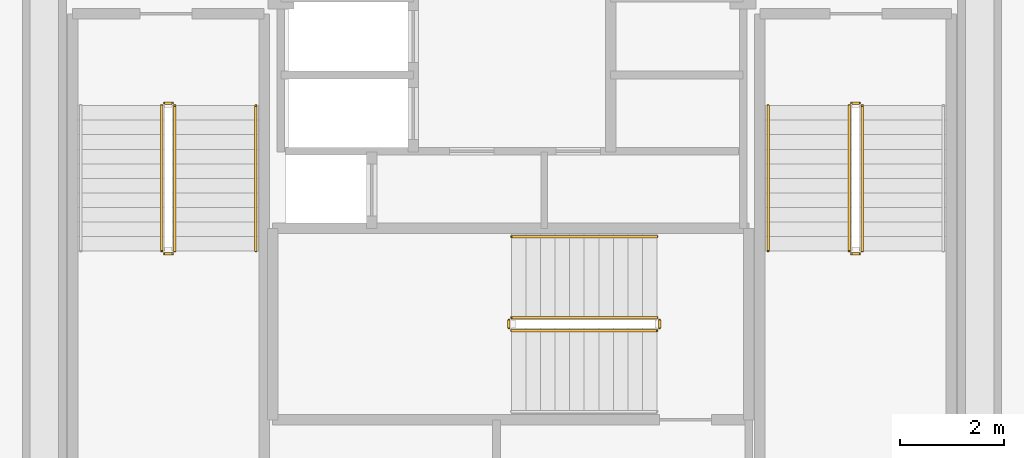
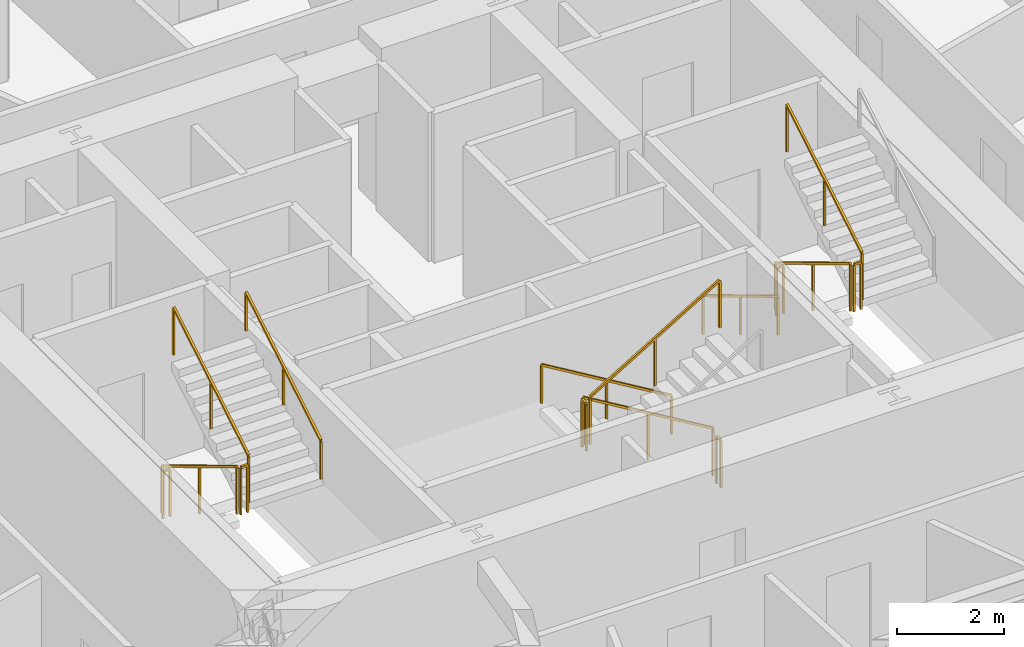
# One storey, part 9 of 10: 15 railings.
"""IFC4 building model written with IfcOpenShell, lengths in metres."""

from ifc_helpers import new_model, si_unit, direction, frame, origin, origin_2d, place, context, subcontext, project, spatial, rectangle, extrude, material, layer, layer_set, type_object, element, save


model = new_model("IFC4")

# Units and contexts
model_context = context("Model", 3, precision=1e-05, world=origin(), true_north=direction((0.0, 1.0)))
body_context = subcontext(model_context, "Body", "Model", "MODEL_VIEW")
ifc_project = project(units=[si_unit("LENGTHUNIT", "METRE"), si_unit("AREAUNIT", "SQUARE_METRE"), si_unit("VOLUMEUNIT", "CUBIC_METRE"), si_unit("PLANEANGLEUNIT", "RADIAN"), si_unit("MASSUNIT", "GRAM", prefix="KILO")], contexts=[model_context])

# Site, building, storey
site_placement = place(None, origin())
site = spatial("IfcSite", under=ifc_project, at=site_placement, CompositionType="ELEMENT")
building_placement = place(site_placement, origin())
building = spatial("IfcBuilding", under=site, at=building_placement, Name="Kilnhurst Terrace Hotel", CompositionType="ELEMENT")
storey_placement = place(building_placement, frame((0.0, 0.0, 113.60009765625)))
storey = spatial("IfcBuildingStorey", under=building, at=storey_placement, Name="L27", CompositionType="ELEMENT", Elevation=113.60009765625)

# Railings
ifc_material_1 = material(Name="Powder-Coated Steel ASTM A500 Grade B", Category="steel")
ifc_layer_1 = layer(ifc_material_1, 0.050048828125, Name="Powder-Coated Steel ASTM A500 Grade B")
ifc_layer_set_1 = layer_set([ifc_layer_1], Name="Powder-Coated Steel ASTM A500 Grade B")
railing_type_1 = type_object("IfcRailingType", Name="RLG-ST-GRD-1100", PredefinedType="GUARDRAIL", material=ifc_layer_set_1)
railing_1_placement = place(storey_placement, frame((-6.739990234375, 0.389892578125, 0.16796875)))
element("IfcRailing", 1, at=railing_1_placement, inside=storey, type_object=railing_type_1, Name="L27 ST-1 stair guard 1", PredefinedType="GUARDRAIL", context=body_context, shape_type="SweptSolid", body=[
    extrude(rectangle(XDim=0.048095703125, YDim=0.048095703125, at=origin_2d()), frame((0.0, 0.0, 1.076171875), z_axis=(0.0, -0.857222391501, 0.514946377315), x_axis=(1.0, 0.0, 0.0)), (0.0, 0.0, 1.0), 3.26611328125),
    extrude(rectangle(XDim=0.0419921875, YDim=0.0419921875, at=origin_2d()), origin(), (0.0, 0.0, 1.0), 1.052001953125),
    extrude(rectangle(XDim=0.0419921875, YDim=0.0419921875, at=origin_2d()), frame((0.0, -1.39990234375, 0.8408203125)), (0.0, 0.0, 1.0), 1.052001953125),
    extrude(rectangle(XDim=0.0419921875, YDim=0.0419921875, at=origin_2d()), frame((0.0, -2.7998046875, 1.681884765625)), (0.0, 0.0, 1.0), 1.052001953125),
])
railing_2_placement = place(storey_placement, frame((-6.68994140625, -2.4599609375, 1.849853515625)))
element("IfcRailing", 2, at=railing_2_placement, inside=storey, type_object=railing_type_1, Name="L27 ST-1 stair guard 2", PredefinedType="GUARDRAIL", context=body_context, shape_type="SweptSolid", body=[
    extrude(rectangle(XDim=0.048095703125, YDim=0.048095703125, at=origin_2d()), frame((0.0, 0.0, 1.076171875), z_axis=(1.0, 0.0, 0.0), x_axis=(0.0, 1.0, 0.0)), (0.0, 0.0, 1.0), 0.14990234375),
    extrude(rectangle(XDim=0.0419921875, YDim=0.0419921875, at=origin_2d()), origin(), (0.0, 0.0, 1.0), 1.052001953125),
    extrude(rectangle(XDim=0.0419921875, YDim=0.0419921875, at=origin_2d()), frame((0.14990234375, 0.0, 0.0)), (0.0, 0.0, 1.0), 1.052001953125),
])
railing_3_placement = place(storey_placement, frame((-6.489990234375, -2.409912109375, 2.01806640625)))
element("IfcRailing", 3, at=railing_3_placement, inside=storey, type_object=railing_type_1, Name="L27 ST-1 stair guard 3", PredefinedType="GUARDRAIL", context=body_context, shape_type="SweptSolid", body=[
    extrude(rectangle(XDim=0.048095703125, YDim=0.048095703125, at=origin_2d()), frame((0.0, 0.0, 1.076171875), z_axis=(0.0, 0.857222391501, 0.514946377315), x_axis=(-1.0, 0.0, 0.0)), (0.0, 0.0, 1.0), 3.26611328125),
    extrude(rectangle(XDim=0.0419921875, YDim=0.0419921875, at=origin_2d()), origin(), (0.0, 0.0, 1.0), 1.052001953125),
    extrude(rectangle(XDim=0.0419921875, YDim=0.0419921875, at=origin_2d()), frame((0.0, 1.39990234375, 0.8408203125)), (0.0, 0.0, 1.0), 1.052001953125),
    extrude(rectangle(XDim=0.0419921875, YDim=0.0419921875, at=origin_2d()), frame((0.0, 2.7998046875, 1.681884765625)), (0.0, 0.0, 1.0), 1.052001953125),
])
railing_4_placement = place(storey_placement, frame((-6.68994140625, 0.43994140625, 0.0)))
element("IfcRailing", 4, at=railing_4_placement, inside=storey, type_object=railing_type_1, Name="L27 ST-1 stair guard 4", PredefinedType="GUARDRAIL", context=body_context, shape_type="SweptSolid", body=[
    extrude(rectangle(XDim=0.048095703125, YDim=0.048095703125, at=origin_2d()), frame((0.0, 0.0, 1.076171875), z_axis=(1.0, 0.0, 0.0), x_axis=(0.0, 1.0, 0.0)), (0.0, 0.0, 1.0), 0.14990234375),
    extrude(rectangle(XDim=0.0419921875, YDim=0.0419921875, at=origin_2d()), origin(), (0.0, 0.0, 1.0), 1.052001953125),
    extrude(rectangle(XDim=0.0419921875, YDim=0.0419921875, at=origin_2d()), frame((0.14990234375, 0.0, 0.0)), (0.0, 0.0, 1.0), 1.052001953125),
])
railing_5_placement = place(storey_placement, frame((6.489990234375, 0.389892578125, 0.16796875)))
element("IfcRailing", 5, at=railing_5_placement, inside=storey, type_object=railing_type_1, Name="L27 ST-2 stair guard 1", PredefinedType="GUARDRAIL", context=body_context, shape_type="SweptSolid", body=[
    extrude(rectangle(XDim=0.048095703125, YDim=0.048095703125, at=origin_2d()), frame((0.0, 0.0, 1.076171875), z_axis=(0.0, -0.857222391501, 0.514946377315), x_axis=(1.0, 0.0, 0.0)), (0.0, 0.0, 1.0), 3.26611328125),
    extrude(rectangle(XDim=0.0419921875, YDim=0.0419921875, at=origin_2d()), origin(), (0.0, 0.0, 1.0), 1.052001953125),
    extrude(rectangle(XDim=0.0419921875, YDim=0.0419921875, at=origin_2d()), frame((0.0, -1.39990234375, 0.8408203125)), (0.0, 0.0, 1.0), 1.052001953125),
    extrude(rectangle(XDim=0.0419921875, YDim=0.0419921875, at=origin_2d()), frame((0.0, -2.7998046875, 1.681884765625)), (0.0, 0.0, 1.0), 1.052001953125),
])
railing_6_placement = place(storey_placement, frame((6.5400390625, -2.4599609375, 1.849853515625)))
element("IfcRailing", 6, at=railing_6_placement, inside=storey, type_object=railing_type_1, Name="L27 ST-2 stair guard 2", PredefinedType="GUARDRAIL", context=body_context, shape_type="SweptSolid", body=[
    extrude(rectangle(XDim=0.048095703125, YDim=0.048095703125, at=origin_2d()), frame((0.0, 0.0, 1.076171875), z_axis=(1.0, 0.0, 0.0), x_axis=(0.0, 1.0, 0.0)), (0.0, 0.0, 1.0), 0.14990234375),
    extrude(rectangle(XDim=0.0419921875, YDim=0.0419921875, at=origin_2d()), origin(), (0.0, 0.0, 1.0), 1.052001953125),
    extrude(rectangle(XDim=0.0419921875, YDim=0.0419921875, at=origin_2d()), frame((0.14990234375, 0.0, 0.0)), (0.0, 0.0, 1.0), 1.052001953125),
])
railing_7_placement = place(storey_placement, frame((6.739990234375, -2.409912109375, 2.01806640625)))
element("IfcRailing", 7, at=railing_7_placement, inside=storey, type_object=railing_type_1, Name="L27 ST-2 stair guard 3", PredefinedType="GUARDRAIL", context=body_context, shape_type="SweptSolid", body=[
    extrude(rectangle(XDim=0.048095703125, YDim=0.048095703125, at=origin_2d()), frame((0.0, 0.0, 1.076171875), z_axis=(0.0, 0.857222391501, 0.514946377315), x_axis=(-1.0, 0.0, 0.0)), (0.0, 0.0, 1.0), 3.26611328125),
    extrude(rectangle(XDim=0.0419921875, YDim=0.0419921875, at=origin_2d()), origin(), (0.0, 0.0, 1.0), 1.052001953125),
    extrude(rectangle(XDim=0.0419921875, YDim=0.0419921875, at=origin_2d()), frame((0.0, 1.39990234375, 0.8408203125)), (0.0, 0.0, 1.0), 1.052001953125),
    extrude(rectangle(XDim=0.0419921875, YDim=0.0419921875, at=origin_2d()), frame((0.0, 2.7998046875, 1.681884765625)), (0.0, 0.0, 1.0), 1.052001953125),
])
railing_8_placement = place(storey_placement, frame((6.5400390625, 0.43994140625, 0.0)))
element("IfcRailing", 8, at=railing_8_placement, inside=storey, type_object=railing_type_1, Name="L27 ST-2 stair guard 4", PredefinedType="GUARDRAIL", context=body_context, shape_type="SweptSolid", body=[
    extrude(rectangle(XDim=0.048095703125, YDim=0.048095703125, at=origin_2d()), frame((0.0, 0.0, 1.076171875), z_axis=(1.0, 0.0, 0.0), x_axis=(0.0, 1.0, 0.0)), (0.0, 0.0, 1.0), 0.14990234375),
    extrude(rectangle(XDim=0.0419921875, YDim=0.0419921875, at=origin_2d()), origin(), (0.0, 0.0, 1.0), 1.052001953125),
    extrude(rectangle(XDim=0.0419921875, YDim=0.0419921875, at=origin_2d()), frame((0.14990234375, 0.0, 0.0)), (0.0, 0.0, 1.0), 1.052001953125),
])
railing_9_placement = place(storey_placement, frame((2.7900390625, -3.68994140625, 0.16796875)))
element("IfcRailing", 9, at=railing_9_placement, inside=storey, type_object=railing_type_1, Name="L27 ST-3 stair guard 1", PredefinedType="GUARDRAIL", context=body_context, shape_type="SweptSolid", body=[
    extrude(rectangle(XDim=0.048095703125, YDim=0.048095703125, at=origin_2d()), frame((0.0, 0.0, 1.076171875), z_axis=(-0.857242210791, 0.0, 0.514913383045), x_axis=(0.0, -1.0, 0.0)), (0.0, 0.0, 1.0), 3.266357421875),
    extrude(rectangle(XDim=0.0419921875, YDim=0.0419921875, at=origin_2d()), origin(), (0.0, 0.0, 1.0), 1.052001953125),
    extrude(rectangle(XDim=0.0419921875, YDim=0.0419921875, at=origin_2d()), frame((-1.39990234375, 0.0, 0.8408203125)), (0.0, 0.0, 1.0), 1.052001953125),
    extrude(rectangle(XDim=0.0419921875, YDim=0.0419921875, at=origin_2d()), frame((-2.800048828125, 0.0, 1.681884765625)), (0.0, 0.0, 1.0), 1.052001953125),
])
railing_10_placement = place(storey_placement, frame((-0.06005859375, -3.739990234375, 1.849853515625)))
element("IfcRailing", 10, at=railing_10_placement, inside=storey, type_object=railing_type_1, Name="L27 ST-3 stair guard 2", PredefinedType="GUARDRAIL", context=body_context, shape_type="SweptSolid", body=[
    extrude(rectangle(XDim=0.048095703125, YDim=0.048095703125, at=origin_2d()), frame((0.0, 0.0, 1.076171875), z_axis=(0.0, -1.0, 0.0), x_axis=(1.0, 0.0, 0.0)), (0.0, 0.0, 1.0), 0.14990234375),
    extrude(rectangle(XDim=0.0419921875, YDim=0.0419921875, at=origin_2d()), origin(), (0.0, 0.0, 1.0), 1.052001953125),
    extrude(rectangle(XDim=0.0419921875, YDim=0.0419921875, at=origin_2d()), frame((0.0, -0.14990234375, 0.0)), (0.0, 0.0, 1.0), 1.052001953125),
])
railing_11_placement = place(storey_placement, frame((-0.010009765625, -3.93994140625, 2.01806640625)))
element("IfcRailing", 11, at=railing_11_placement, inside=storey, type_object=railing_type_1, Name="L27 ST-3 stair guard 3", PredefinedType="GUARDRAIL", context=body_context, shape_type="SweptSolid", body=[
    extrude(rectangle(XDim=0.048095703125, YDim=0.048095703125, at=origin_2d()), frame((0.0, 0.0, 1.076171875), z_axis=(0.857242210791, 0.0, 0.514913383045), x_axis=(0.0, 1.0, 0.0)), (0.0, 0.0, 1.0), 3.266357421875),
    extrude(rectangle(XDim=0.0419921875, YDim=0.0419921875, at=origin_2d()), origin(), (0.0, 0.0, 1.0), 1.052001953125),
    extrude(rectangle(XDim=0.0419921875, YDim=0.0419921875, at=origin_2d()), frame((1.39990234375, 0.0, 0.8408203125)), (0.0, 0.0, 1.0), 1.052001953125),
    extrude(rectangle(XDim=0.0419921875, YDim=0.0419921875, at=origin_2d()), frame((2.800048828125, 0.0, 1.681884765625)), (0.0, 0.0, 1.0), 1.052001953125),
])
railing_12_placement = place(storey_placement, frame((2.840087890625, -3.739990234375, 0.0)))
element("IfcRailing", 12, at=railing_12_placement, inside=storey, type_object=railing_type_1, Name="L27 ST-3 stair guard 4", PredefinedType="GUARDRAIL", context=body_context, shape_type="SweptSolid", body=[
    extrude(rectangle(XDim=0.048095703125, YDim=0.048095703125, at=origin_2d()), frame((0.0, 0.0, 1.076171875), z_axis=(0.0, -1.0, 0.0), x_axis=(1.0, 0.0, 0.0)), (0.0, 0.0, 1.0), 0.14990234375),
    extrude(rectangle(XDim=0.0419921875, YDim=0.0419921875, at=origin_2d()), origin(), (0.0, 0.0, 1.0), 1.052001953125),
    extrude(rectangle(XDim=0.0419921875, YDim=0.0419921875, at=origin_2d()), frame((0.0, -0.14990234375, 0.0)), (0.0, 0.0, 1.0), 1.052001953125),
])
ifc_material_2 = material(Name="Brushed Stainless Steel AISI 304", Category="steel")
ifc_layer_2 = layer(ifc_material_2, 0.048095703125, Name="Brushed Stainless Steel AISI 304")
ifc_layer_set_2 = layer_set([ifc_layer_2], Name="Brushed Stainless Steel AISI 304")
railing_type_2 = type_object("IfcRailingType", Name="RLG-ST-HRL-900", PredefinedType="HANDRAIL", material=ifc_layer_set_2)
railing_13_placement = place(storey_placement, frame((-4.929931640625, -2.409912109375, 2.01806640625)))
element("IfcRailing", 13, at=railing_13_placement, inside=storey, type_object=railing_type_2, Name="L27 ST-1 stair handrail 2", PredefinedType="HANDRAIL", context=body_context, shape_type="SweptSolid", body=[
    extrude(rectangle(XDim=0.048095703125, YDim=0.048095703125, at=origin_2d()), frame((0.0, 0.0, 0.8759765625), z_axis=(0.0, 0.857222391501, 0.514946377315), x_axis=(-1.0, 0.0, 0.0)), (0.0, 0.0, 1.0), 3.26611328125),
    extrude(rectangle(XDim=0.0419921875, YDim=0.0419921875, at=origin_2d()), origin(), (0.0, 0.0, 1.0), 0.851806640625),
    extrude(rectangle(XDim=0.0419921875, YDim=0.0419921875, at=origin_2d()), frame((0.0, 1.39990234375, 0.8408203125)), (0.0, 0.0, 1.0), 0.851806640625),
    extrude(rectangle(XDim=0.0419921875, YDim=0.0419921875, at=origin_2d()), frame((0.0, 2.7998046875, 1.681884765625)), (0.0, 0.0, 1.0), 0.851806640625),
])
railing_14_placement = place(storey_placement, frame((4.929931640625, 0.389892578125, 0.16796875)))
element("IfcRailing", 14, at=railing_14_placement, inside=storey, type_object=railing_type_2, Name="L27 ST-2 stair handrail 1", PredefinedType="HANDRAIL", context=body_context, shape_type="SweptSolid", body=[
    extrude(rectangle(XDim=0.048095703125, YDim=0.048095703125, at=origin_2d()), frame((0.0, 0.0, 0.8759765625), z_axis=(0.0, -0.857222391501, 0.514946377315), x_axis=(1.0, 0.0, 0.0)), (0.0, 0.0, 1.0), 3.26611328125),
    extrude(rectangle(XDim=0.0419921875, YDim=0.0419921875, at=origin_2d()), origin(), (0.0, 0.0, 1.0), 0.851806640625),
    extrude(rectangle(XDim=0.0419921875, YDim=0.0419921875, at=origin_2d()), frame((0.0, -1.39990234375, 0.8408203125)), (0.0, 0.0, 1.0), 0.851806640625),
    extrude(rectangle(XDim=0.0419921875, YDim=0.0419921875, at=origin_2d()), frame((0.0, -2.7998046875, 1.681884765625)), (0.0, 0.0, 1.0), 0.851806640625),
])
railing_15_placement = place(storey_placement, frame((2.7900390625, -2.1298828125, 0.16796875)))
element("IfcRailing", 15, at=railing_15_placement, inside=storey, type_object=railing_type_2, Name="L27 ST-3 stair handrail 1", PredefinedType="HANDRAIL", context=body_context, shape_type="SweptSolid", body=[
    extrude(rectangle(XDim=0.048095703125, YDim=0.048095703125, at=origin_2d()), frame((0.0, 0.0, 0.8759765625), z_axis=(-0.857242210791, 0.0, 0.514913383045), x_axis=(0.0, -1.0, 0.0)), (0.0, 0.0, 1.0), 3.266357421875),
    extrude(rectangle(XDim=0.0419921875, YDim=0.0419921875, at=origin_2d()), origin(), (0.0, 0.0, 1.0), 0.851806640625),
    extrude(rectangle(XDim=0.0419921875, YDim=0.0419921875, at=origin_2d()), frame((-1.39990234375, 0.0, 0.8408203125)), (0.0, 0.0, 1.0), 0.851806640625),
    extrude(rectangle(XDim=0.0419921875, YDim=0.0419921875, at=origin_2d()), frame((-2.800048828125, 0.0, 1.681884765625)), (0.0, 0.0, 1.0), 0.851806640625),
])

save(model, "model.ifc")
